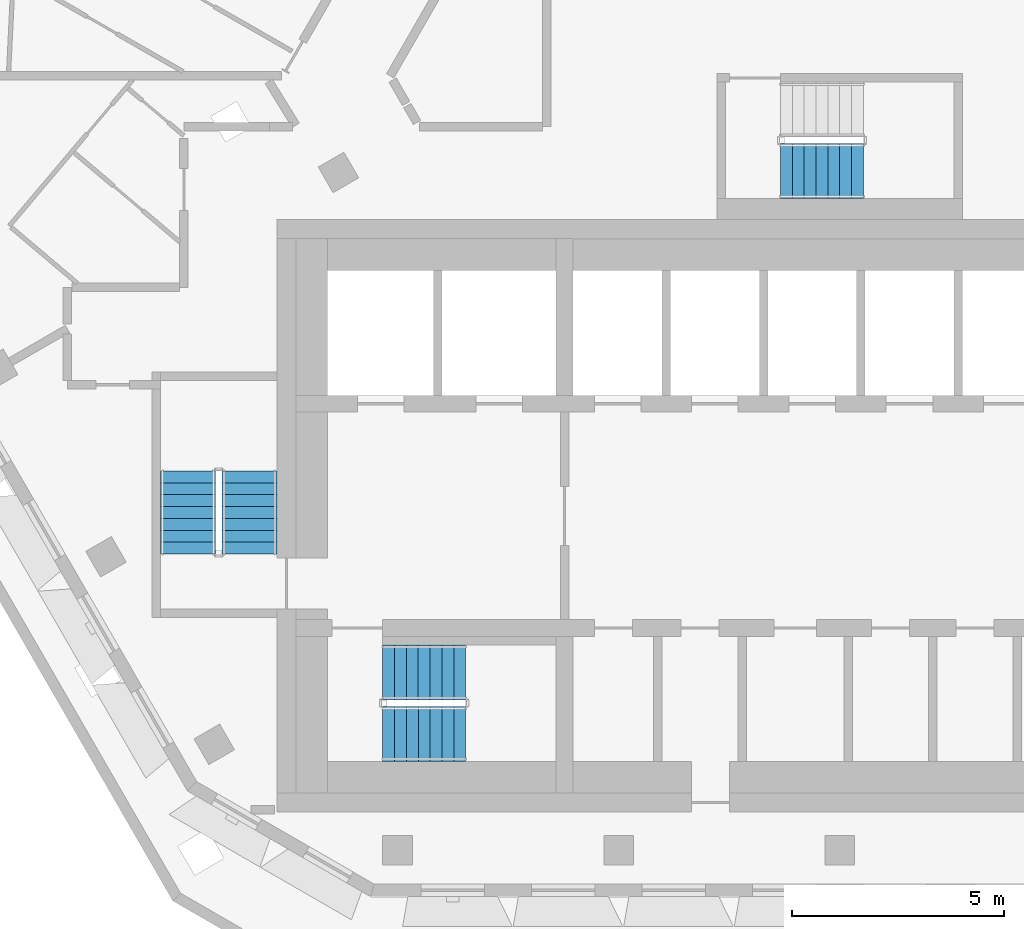
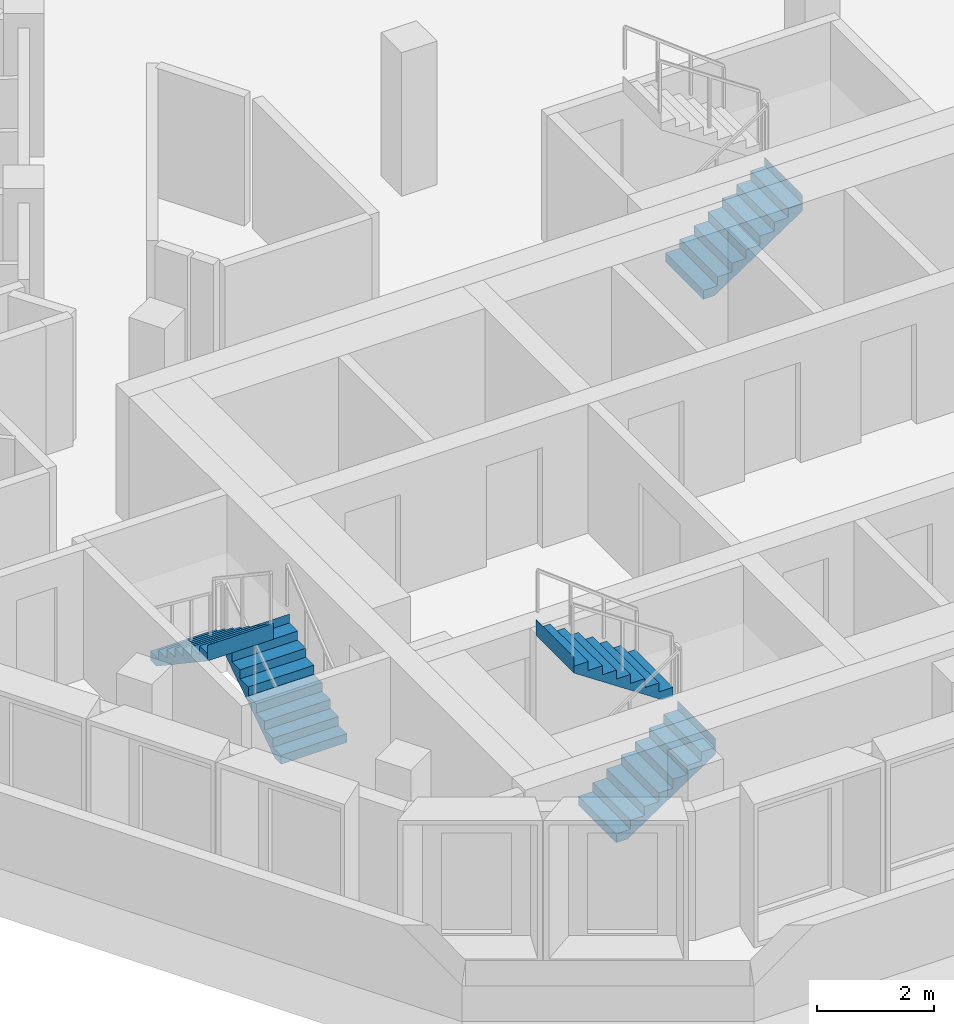
# One storey, part 10 of 15: 5 stair flights, 3 elements without a shape of their own.
"""IFC4 building model written with IfcOpenShell, lengths in metres."""

from ifc_helpers import new_model, si_unit, direction, frame, origin, place, context, subcontext, project, spatial, triangles, material, type_object, element, aggregate, save


model = new_model("IFC4")

# Units and contexts
model_context = context("Model", 3, precision=1e-05, world=origin(), true_north=direction((0.0, 1.0)))
body_context = subcontext(model_context, "Body", "Model", "MODEL_VIEW")
ifc_project = project(units=[si_unit("LENGTHUNIT", "METRE"), si_unit("AREAUNIT", "SQUARE_METRE"), si_unit("VOLUMEUNIT", "CUBIC_METRE"), si_unit("PLANEANGLEUNIT", "RADIAN"), si_unit("MASSUNIT", "GRAM", prefix="KILO")], contexts=[model_context])

# Site, building, storey
site_placement = place(None, origin())
site = spatial("IfcSite", under=ifc_project, at=site_placement, CompositionType="ELEMENT")
building_placement = place(site_placement, origin())
building = spatial("IfcBuilding", under=site, at=building_placement, Name="Beryl Residences", CompositionType="ELEMENT")
storey_placement = place(building_placement, frame((0.0, 0.0, 202.800048828125)))
storey = spatial("IfcBuildingStorey", under=building, at=storey_placement, Name="L62", CompositionType="ELEMENT", Elevation=202.800048828125)

# Stair, stair flights
ifc_material_1 = material(Name="Concrete C40/50", Category="concrete")
stair_type = type_object("IfcStairType", Name="ST1 protected exit stair, half-turn, 1300 mm flights", PredefinedType="HALF_TURN_STAIR", material=ifc_material_1)
stair_1_placement = place(storey_placement, origin())
stair_1 = element("IfcStair", 1, at=stair_1_placement, inside=storey, type_object=stair_type, Name="L62 PROTECTED EXIT STAIR ST-1", PredefinedType="HALF_TURN_STAIR")
ifc_material_2 = material(Name="Concrete C40/50", Category="concrete")
stair_flight_type = type_object("IfcStairFlightType", Name="SF1 stair flight 1300 mm", PredefinedType="STRAIGHT", material=ifc_material_2)
stair_flight_1_placement = place(storey_placement, frame((-10.800048828125, -17.14990234375, 0.0), z_axis=(0.0, 0.0, 1.0), x_axis=(1.0, 0.0, 0.0)))
stair_flight_1 = element("IfcStairFlight", 2, at=stair_flight_1_placement, type_object=stair_flight_type, Name="ST-1 flight 1", NumberOfRisers=8, NumberOfTreads=7, PredefinedType="STRAIGHT", RiserHeight=0.1875, TreadLength=0.28, context=body_context, shape_type="Tessellation", body=[
    triangles([(0.0, -0.64990234375, 0.0), (0.0, -0.324951171875, 0.0), (0.0, 0.0, 0.0), (0.0, 0.324951171875, 0.0), (0.0, 0.64990234375, 0.0), (0.0, -0.64990234375, 0.1875), (0.0, -0.324951171875, 0.1875), (0.0, 0.0, 0.1875), (0.0, 0.324951171875, 0.1875), (0.0, 0.64990234375, 0.1875), (0.280029296875, -0.64990234375, 0.1875), (0.280029296875, -0.324951171875, 0.1875), (0.280029296875, 0.0, 0.1875), (0.280029296875, 0.324951171875, 0.1875), (0.280029296875, 0.64990234375, 0.1875), (0.280029296875, -0.64990234375, 0.375), (0.280029296875, -0.324951171875, 0.375), (0.280029296875, 0.0, 0.375), (0.280029296875, 0.324951171875, 0.375), (0.280029296875, 0.64990234375, 0.375), (0.56005859375, -0.64990234375, 0.375), (0.56005859375, -0.324951171875, 0.375), (0.56005859375, 0.0, 0.375), (0.56005859375, 0.324951171875, 0.375), (0.56005859375, 0.64990234375, 0.375), (0.56005859375, -0.64990234375, 0.5625), (0.56005859375, -0.324951171875, 0.5625), (0.56005859375, 0.0, 0.5625), (0.56005859375, 0.324951171875, 0.5625), (0.56005859375, 0.64990234375, 0.5625), (0.840087890625, -0.64990234375, 0.5625), (0.840087890625, -0.324951171875, 0.5625), (0.840087890625, 0.0, 0.5625), (0.840087890625, 0.324951171875, 0.5625), (0.840087890625, 0.64990234375, 0.5625), (0.840087890625, -0.64990234375, 0.75), (0.840087890625, -0.324951171875, 0.75), (0.840087890625, 0.0, 0.75), (0.840087890625, 0.324951171875, 0.75), (0.840087890625, 0.64990234375, 0.75), (1.1201171875, -0.64990234375, 0.75), (1.1201171875, -0.324951171875, 0.75), (1.1201171875, 0.0, 0.75), (1.1201171875, 0.324951171875, 0.75), (1.1201171875, 0.64990234375, 0.75), (1.1201171875, -0.64990234375, 0.9375), (1.1201171875, -0.324951171875, 0.9375), (1.1201171875, 0.0, 0.9375), (1.1201171875, 0.324951171875, 0.9375), (1.1201171875, 0.64990234375, 0.9375), (1.39990234375, -0.64990234375, 0.9375), (1.39990234375, -0.324951171875, 0.9375), (1.39990234375, 0.0, 0.9375), (1.39990234375, 0.324951171875, 0.9375), (1.39990234375, 0.64990234375, 0.9375), (1.39990234375, -0.64990234375, 1.125), (1.39990234375, -0.324951171875, 1.125), (1.39990234375, 0.0, 1.125), (1.39990234375, 0.324951171875, 1.125), (1.39990234375, 0.64990234375, 1.125), (1.679931640625, -0.64990234375, 1.125), (1.679931640625, -0.324951171875, 1.125), (1.679931640625, 0.0, 1.125), (1.679931640625, 0.324951171875, 1.125), (1.679931640625, 0.64990234375, 1.125), (1.679931640625, -0.64990234375, 1.3125), (1.679931640625, -0.324951171875, 1.3125), (1.679931640625, 0.0, 1.3125), (1.679931640625, 0.324951171875, 1.3125), (1.679931640625, 0.64990234375, 1.3125), (1.9599609375, -0.64990234375, 1.3125), (1.9599609375, -0.324951171875, 1.3125), (1.9599609375, 0.0, 1.3125), (1.9599609375, 0.324951171875, 1.3125), (1.9599609375, 0.64990234375, 1.3125), (1.9599609375, -0.64990234375, 1.5), (1.9599609375, -0.324951171875, 1.5), (1.9599609375, 0.0, 1.5), (1.9599609375, 0.324951171875, 1.5), (1.9599609375, 0.64990234375, 1.5), (1.9609375, -0.64990234375, 1.5), (1.9609375, -0.324951171875, 1.5), (1.9609375, 0.0, 1.5), (1.9609375, 0.324951171875, 1.5), (1.9609375, 0.64990234375, 1.5), (1.9609375, -0.64990234375, 1.16796875), (1.9609375, -0.324951171875, 1.16796875), (1.9609375, 0.0, 1.16796875), (1.9609375, 0.324951171875, 1.16796875), (1.9609375, 0.64990234375, 1.16796875), (0.216796875, -0.64990234375, 0.0), (0.216796875, -0.324951171875, 0.0), (0.216796875, 0.0, 0.0), (0.216796875, 0.324951171875, 0.0), (0.216796875, 0.64990234375, 0.0)], [[1, 6, 7], [1, 7, 2], [2, 7, 8], [2, 8, 3], [3, 8, 9], [3, 9, 4], [4, 9, 10], [4, 10, 5], [6, 11, 12], [6, 12, 7], [7, 12, 13], [7, 13, 8], [8, 13, 14], [8, 14, 9], [9, 14, 15], [9, 15, 10], [11, 16, 17], [11, 17, 12], [12, 17, 18], [12, 18, 13], [13, 18, 19], [13, 19, 14], [14, 19, 20], [14, 20, 15], [16, 21, 22], [16, 22, 17], [17, 22, 23], [17, 23, 18], [18, 23, 24], [18, 24, 19], [19, 24, 25], [19, 25, 20], [21, 26, 27], [21, 27, 22], [22, 27, 28], [22, 28, 23], [23, 28, 29], [23, 29, 24], [24, 29, 30], [24, 30, 25], [26, 31, 32], [26, 32, 27], [27, 32, 33], [27, 33, 28], [28, 33, 34], [28, 34, 29], [29, 34, 35], [29, 35, 30], [31, 36, 37], [31, 37, 32], [32, 37, 38], [32, 38, 33], [33, 38, 39], [33, 39, 34], [34, 39, 40], [34, 40, 35], [36, 41, 42], [36, 42, 37], [37, 42, 43], [37, 43, 38], [38, 43, 44], [38, 44, 39], [39, 44, 45], [39, 45, 40], [41, 46, 47], [41, 47, 42], [42, 47, 48], [42, 48, 43], [43, 48, 49], [43, 49, 44], [44, 49, 50], [44, 50, 45], [46, 51, 52], [46, 52, 47], [47, 52, 53], [47, 53, 48], [48, 53, 54], [48, 54, 49], [49, 54, 55], [49, 55, 50], [51, 56, 57], [51, 57, 52], [52, 57, 58], [52, 58, 53], [53, 58, 59], [53, 59, 54], [54, 59, 60], [54, 60, 55], [56, 61, 62], [56, 62, 57], [57, 62, 63], [57, 63, 58], [58, 63, 64], [58, 64, 59], [59, 64, 65], [59, 65, 60], [61, 66, 67], [61, 67, 62], [62, 67, 68], [62, 68, 63], [63, 68, 69], [63, 69, 64], [64, 69, 70], [64, 70, 65], [66, 71, 72], [66, 72, 67], [67, 72, 73], [67, 73, 68], [68, 73, 74], [68, 74, 69], [69, 74, 75], [69, 75, 70], [71, 76, 77], [71, 77, 72], [72, 77, 78], [72, 78, 73], [73, 78, 79], [73, 79, 74], [74, 79, 80], [74, 80, 75], [76, 81, 82], [76, 82, 77], [77, 82, 83], [77, 83, 78], [78, 83, 84], [78, 84, 79], [79, 84, 85], [79, 85, 80], [81, 86, 87], [81, 87, 82], [82, 87, 88], [82, 88, 83], [83, 88, 89], [83, 89, 84], [84, 89, 90], [84, 90, 85], [86, 91, 92], [86, 92, 87], [87, 92, 93], [87, 93, 88], [88, 93, 94], [88, 94, 89], [89, 94, 95], [89, 95, 90], [91, 1, 2], [91, 2, 92], [92, 2, 3], [92, 3, 93], [93, 3, 4], [93, 4, 94], [94, 4, 5], [94, 5, 95], [1, 91, 86], [5, 90, 95], [86, 81, 76], [90, 80, 85], [86, 76, 71], [90, 75, 80], [86, 71, 66], [90, 70, 75], [86, 66, 61], [90, 65, 70], [61, 56, 51], [65, 55, 60], [86, 61, 51], [90, 55, 65], [51, 46, 41], [55, 45, 50], [86, 51, 41], [90, 45, 55], [41, 36, 31], [45, 35, 40], [86, 41, 31], [90, 35, 45], [31, 26, 21], [35, 25, 30], [86, 31, 21], [90, 25, 35], [21, 16, 11], [25, 15, 20], [86, 21, 11], [90, 15, 25], [1, 86, 11], [5, 15, 90], [11, 6, 1], [15, 5, 10]], closed=True),
])
stair_flight_2_placement = place(storey_placement, frame((-8.840087890625, -15.699951171875, 1.5), z_axis=(0.0, 0.0, 1.0), x_axis=(-1.0, 0.0, 0.0)))
stair_flight_2 = element("IfcStairFlight", 3, at=stair_flight_2_placement, type_object=stair_flight_type, Name="ST-1 flight 2", NumberOfRisers=8, NumberOfTreads=7, PredefinedType="STRAIGHT", RiserHeight=0.1875, TreadLength=0.28, context=body_context, shape_type="Tessellation", body=[
    triangles([(0.0, -0.64990234375, 0.0), (0.0, -0.324951171875, 0.0), (0.0, 0.0, 0.0), (0.0, 0.324951171875, 0.0), (0.0, 0.64990234375, 0.0), (0.0, -0.64990234375, 0.1875), (0.0, -0.324951171875, 0.1875), (0.0, 0.0, 0.1875), (0.0, 0.324951171875, 0.1875), (0.0, 0.64990234375, 0.1875), (0.280029296875, -0.64990234375, 0.1875), (0.280029296875, -0.324951171875, 0.1875), (0.280029296875, 0.0, 0.1875), (0.280029296875, 0.324951171875, 0.1875), (0.280029296875, 0.64990234375, 0.1875), (0.280029296875, -0.64990234375, 0.375), (0.280029296875, -0.324951171875, 0.375), (0.280029296875, 0.0, 0.375), (0.280029296875, 0.324951171875, 0.375), (0.280029296875, 0.64990234375, 0.375), (0.56005859375, -0.64990234375, 0.375), (0.56005859375, -0.324951171875, 0.375), (0.56005859375, 0.0, 0.375), (0.56005859375, 0.324951171875, 0.375), (0.56005859375, 0.64990234375, 0.375), (0.56005859375, -0.64990234375, 0.5625), (0.56005859375, -0.324951171875, 0.5625), (0.56005859375, 0.0, 0.5625), (0.56005859375, 0.324951171875, 0.5625), (0.56005859375, 0.64990234375, 0.5625), (0.840087890625, -0.64990234375, 0.5625), (0.840087890625, -0.324951171875, 0.5625), (0.840087890625, 0.0, 0.5625), (0.840087890625, 0.324951171875, 0.5625), (0.840087890625, 0.64990234375, 0.5625), (0.840087890625, -0.64990234375, 0.75), (0.840087890625, -0.324951171875, 0.75), (0.840087890625, 0.0, 0.75), (0.840087890625, 0.324951171875, 0.75), (0.840087890625, 0.64990234375, 0.75), (1.1201171875, -0.64990234375, 0.75), (1.1201171875, -0.324951171875, 0.75), (1.1201171875, 0.0, 0.75), (1.1201171875, 0.324951171875, 0.75), (1.1201171875, 0.64990234375, 0.75), (1.1201171875, -0.64990234375, 0.9375), (1.1201171875, -0.324951171875, 0.9375), (1.1201171875, 0.0, 0.9375), (1.1201171875, 0.324951171875, 0.9375), (1.1201171875, 0.64990234375, 0.9375), (1.39990234375, -0.64990234375, 0.9375), (1.39990234375, -0.324951171875, 0.9375), (1.39990234375, 0.0, 0.9375), (1.39990234375, 0.324951171875, 0.9375), (1.39990234375, 0.64990234375, 0.9375), (1.39990234375, -0.64990234375, 1.125), (1.39990234375, -0.324951171875, 1.125), (1.39990234375, 0.0, 1.125), (1.39990234375, 0.324951171875, 1.125), (1.39990234375, 0.64990234375, 1.125), (1.679931640625, -0.64990234375, 1.125), (1.679931640625, -0.324951171875, 1.125), (1.679931640625, 0.0, 1.125), (1.679931640625, 0.324951171875, 1.125), (1.679931640625, 0.64990234375, 1.125), (1.679931640625, -0.64990234375, 1.3125), (1.679931640625, -0.324951171875, 1.3125), (1.679931640625, 0.0, 1.3125), (1.679931640625, 0.324951171875, 1.3125), (1.679931640625, 0.64990234375, 1.3125), (1.9599609375, -0.64990234375, 1.3125), (1.9599609375, -0.324951171875, 1.3125), (1.9599609375, 0.0, 1.3125), (1.9599609375, 0.324951171875, 1.3125), (1.9599609375, 0.64990234375, 1.3125), (1.9599609375, -0.64990234375, 1.5), (1.9599609375, -0.324951171875, 1.5), (1.9599609375, 0.0, 1.5), (1.9599609375, 0.324951171875, 1.5), (1.9599609375, 0.64990234375, 1.5), (1.9609375, -0.64990234375, 1.5), (1.9609375, -0.324951171875, 1.5), (1.9609375, 0.0, 1.5), (1.9609375, 0.324951171875, 1.5), (1.9609375, 0.64990234375, 1.5), (1.9609375, -0.64990234375, 1.16796875), (1.9609375, -0.324951171875, 1.16796875), (1.9609375, 0.0, 1.16796875), (1.9609375, 0.324951171875, 1.16796875), (1.9609375, 0.64990234375, 1.16796875), (0.216796875, -0.64990234375, 0.0), (0.216796875, -0.324951171875, 0.0), (0.216796875, 0.0, 0.0), (0.216796875, 0.324951171875, 0.0), (0.216796875, 0.64990234375, 0.0)], [[1, 6, 7], [1, 7, 2], [2, 7, 8], [2, 8, 3], [3, 8, 9], [3, 9, 4], [4, 9, 10], [4, 10, 5], [6, 11, 12], [6, 12, 7], [7, 12, 13], [7, 13, 8], [8, 13, 14], [8, 14, 9], [9, 14, 15], [9, 15, 10], [11, 16, 17], [11, 17, 12], [12, 17, 18], [12, 18, 13], [13, 18, 19], [13, 19, 14], [14, 19, 20], [14, 20, 15], [16, 21, 22], [16, 22, 17], [17, 22, 23], [17, 23, 18], [18, 23, 24], [18, 24, 19], [19, 24, 25], [19, 25, 20], [21, 26, 27], [21, 27, 22], [22, 27, 28], [22, 28, 23], [23, 28, 29], [23, 29, 24], [24, 29, 30], [24, 30, 25], [26, 31, 32], [26, 32, 27], [27, 32, 33], [27, 33, 28], [28, 33, 34], [28, 34, 29], [29, 34, 35], [29, 35, 30], [31, 36, 37], [31, 37, 32], [32, 37, 38], [32, 38, 33], [33, 38, 39], [33, 39, 34], [34, 39, 40], [34, 40, 35], [36, 41, 42], [36, 42, 37], [37, 42, 43], [37, 43, 38], [38, 43, 44], [38, 44, 39], [39, 44, 45], [39, 45, 40], [41, 46, 47], [41, 47, 42], [42, 47, 48], [42, 48, 43], [43, 48, 49], [43, 49, 44], [44, 49, 50], [44, 50, 45], [46, 51, 52], [46, 52, 47], [47, 52, 53], [47, 53, 48], [48, 53, 54], [48, 54, 49], [49, 54, 55], [49, 55, 50], [51, 56, 57], [51, 57, 52], [52, 57, 58], [52, 58, 53], [53, 58, 59], [53, 59, 54], [54, 59, 60], [54, 60, 55], [56, 61, 62], [56, 62, 57], [57, 62, 63], [57, 63, 58], [58, 63, 64], [58, 64, 59], [59, 64, 65], [59, 65, 60], [61, 66, 67], [61, 67, 62], [62, 67, 68], [62, 68, 63], [63, 68, 69], [63, 69, 64], [64, 69, 70], [64, 70, 65], [66, 71, 72], [66, 72, 67], [67, 72, 73], [67, 73, 68], [68, 73, 74], [68, 74, 69], [69, 74, 75], [69, 75, 70], [71, 76, 77], [71, 77, 72], [72, 77, 78], [72, 78, 73], [73, 78, 79], [73, 79, 74], [74, 79, 80], [74, 80, 75], [76, 81, 82], [76, 82, 77], [77, 82, 83], [77, 83, 78], [78, 83, 84], [78, 84, 79], [79, 84, 85], [79, 85, 80], [81, 86, 87], [81, 87, 82], [82, 87, 88], [82, 88, 83], [83, 88, 89], [83, 89, 84], [84, 89, 90], [84, 90, 85], [86, 91, 92], [86, 92, 87], [87, 92, 93], [87, 93, 88], [88, 93, 94], [88, 94, 89], [89, 94, 95], [89, 95, 90], [91, 1, 2], [91, 2, 92], [92, 2, 3], [92, 3, 93], [93, 3, 4], [93, 4, 94], [94, 4, 5], [94, 5, 95], [1, 91, 86], [5, 90, 95], [86, 81, 76], [90, 80, 85], [86, 76, 71], [90, 75, 80], [86, 71, 66], [90, 70, 75], [86, 66, 61], [90, 65, 70], [61, 56, 51], [65, 55, 60], [86, 61, 51], [90, 55, 65], [51, 46, 41], [55, 45, 50], [86, 51, 41], [90, 45, 55], [41, 36, 31], [45, 35, 40], [86, 41, 31], [90, 35, 45], [31, 26, 21], [35, 25, 30], [86, 31, 21], [90, 25, 35], [21, 16, 11], [25, 15, 20], [86, 21, 11], [90, 15, 25], [1, 86, 11], [5, 15, 90], [11, 6, 1], [15, 5, 10]], closed=True),
])
aggregate(stair_1, [stair_flight_1, stair_flight_2])

stair_2_placement = place(storey_placement, origin())
stair_2 = element("IfcStair", 4, at=stair_2_placement, inside=storey, type_object=stair_type, Name="L62 PROTECTED EXIT STAIR ST-2", PredefinedType="HALF_TURN_STAIR")
stair_flight_3_placement = place(storey_placement, frame((-13.949951171875, -12.89990234375, 0.0), z_axis=(0.0, 0.0, 1.0), x_axis=(0.0, 1.0, 0.0)))
stair_flight_3 = element("IfcStairFlight", 5, at=stair_flight_3_placement, type_object=stair_flight_type, Name="ST-2 flight 1", NumberOfRisers=8, NumberOfTreads=7, PredefinedType="STRAIGHT", RiserHeight=0.1875, TreadLength=0.28, context=body_context, shape_type="Tessellation", body=[
    triangles([(0.0, -0.64990234375, 0.0), (0.0, -0.324951171875, 0.0), (0.0, 0.0, 0.0), (0.0, 0.324951171875, 0.0), (0.0, 0.64990234375, 0.0), (0.0, -0.64990234375, 0.1875), (0.0, -0.324951171875, 0.1875), (0.0, 0.0, 0.1875), (0.0, 0.324951171875, 0.1875), (0.0, 0.64990234375, 0.1875), (0.280029296875, -0.64990234375, 0.1875), (0.280029296875, -0.324951171875, 0.1875), (0.280029296875, 0.0, 0.1875), (0.280029296875, 0.324951171875, 0.1875), (0.280029296875, 0.64990234375, 0.1875), (0.280029296875, -0.64990234375, 0.375), (0.280029296875, -0.324951171875, 0.375), (0.280029296875, 0.0, 0.375), (0.280029296875, 0.324951171875, 0.375), (0.280029296875, 0.64990234375, 0.375), (0.56005859375, -0.64990234375, 0.375), (0.56005859375, -0.324951171875, 0.375), (0.56005859375, 0.0, 0.375), (0.56005859375, 0.324951171875, 0.375), (0.56005859375, 0.64990234375, 0.375), (0.56005859375, -0.64990234375, 0.5625), (0.56005859375, -0.324951171875, 0.5625), (0.56005859375, 0.0, 0.5625), (0.56005859375, 0.324951171875, 0.5625), (0.56005859375, 0.64990234375, 0.5625), (0.840087890625, -0.64990234375, 0.5625), (0.840087890625, -0.324951171875, 0.5625), (0.840087890625, 0.0, 0.5625), (0.840087890625, 0.324951171875, 0.5625), (0.840087890625, 0.64990234375, 0.5625), (0.840087890625, -0.64990234375, 0.75), (0.840087890625, -0.324951171875, 0.75), (0.840087890625, 0.0, 0.75), (0.840087890625, 0.324951171875, 0.75), (0.840087890625, 0.64990234375, 0.75), (1.1201171875, -0.64990234375, 0.75), (1.1201171875, -0.324951171875, 0.75), (1.1201171875, 0.0, 0.75), (1.1201171875, 0.324951171875, 0.75), (1.1201171875, 0.64990234375, 0.75), (1.1201171875, -0.64990234375, 0.9375), (1.1201171875, -0.324951171875, 0.9375), (1.1201171875, 0.0, 0.9375), (1.1201171875, 0.324951171875, 0.9375), (1.1201171875, 0.64990234375, 0.9375), (1.39990234375, -0.64990234375, 0.9375), (1.39990234375, -0.324951171875, 0.9375), (1.39990234375, 0.0, 0.9375), (1.39990234375, 0.324951171875, 0.9375), (1.39990234375, 0.64990234375, 0.9375), (1.39990234375, -0.64990234375, 1.125), (1.39990234375, -0.324951171875, 1.125), (1.39990234375, 0.0, 1.125), (1.39990234375, 0.324951171875, 1.125), (1.39990234375, 0.64990234375, 1.125), (1.679931640625, -0.64990234375, 1.125), (1.679931640625, -0.324951171875, 1.125), (1.679931640625, 0.0, 1.125), (1.679931640625, 0.324951171875, 1.125), (1.679931640625, 0.64990234375, 1.125), (1.679931640625, -0.64990234375, 1.3125), (1.679931640625, -0.324951171875, 1.3125), (1.679931640625, 0.0, 1.3125), (1.679931640625, 0.324951171875, 1.3125), (1.679931640625, 0.64990234375, 1.3125), (1.9599609375, -0.64990234375, 1.3125), (1.9599609375, -0.324951171875, 1.3125), (1.9599609375, 0.0, 1.3125), (1.9599609375, 0.324951171875, 1.3125), (1.9599609375, 0.64990234375, 1.3125), (1.9599609375, -0.64990234375, 1.5), (1.9599609375, -0.324951171875, 1.5), (1.9599609375, 0.0, 1.5), (1.9599609375, 0.324951171875, 1.5), (1.9599609375, 0.64990234375, 1.5), (1.9609375, -0.64990234375, 1.5), (1.9609375, -0.324951171875, 1.5), (1.9609375, 0.0, 1.5), (1.9609375, 0.324951171875, 1.5), (1.9609375, 0.64990234375, 1.5), (1.9609375, -0.64990234375, 1.16796875), (1.9609375, -0.324951171875, 1.16796875), (1.9609375, 0.0, 1.16796875), (1.9609375, 0.324951171875, 1.16796875), (1.9609375, 0.64990234375, 1.16796875), (0.216796875, -0.64990234375, 0.0), (0.216796875, -0.324951171875, 0.0), (0.216796875, 0.0, 0.0), (0.216796875, 0.324951171875, 0.0), (0.216796875, 0.64990234375, 0.0)], [[1, 6, 7], [1, 7, 2], [2, 7, 8], [2, 8, 3], [3, 8, 9], [3, 9, 4], [4, 9, 10], [4, 10, 5], [6, 11, 12], [6, 12, 7], [7, 12, 13], [7, 13, 8], [8, 13, 14], [8, 14, 9], [9, 14, 15], [9, 15, 10], [11, 16, 17], [11, 17, 12], [12, 17, 18], [12, 18, 13], [13, 18, 19], [13, 19, 14], [14, 19, 20], [14, 20, 15], [16, 21, 22], [16, 22, 17], [17, 22, 23], [17, 23, 18], [18, 23, 24], [18, 24, 19], [19, 24, 25], [19, 25, 20], [21, 26, 27], [21, 27, 22], [22, 27, 28], [22, 28, 23], [23, 28, 29], [23, 29, 24], [24, 29, 30], [24, 30, 25], [26, 31, 32], [26, 32, 27], [27, 32, 33], [27, 33, 28], [28, 33, 34], [28, 34, 29], [29, 34, 35], [29, 35, 30], [31, 36, 37], [31, 37, 32], [32, 37, 38], [32, 38, 33], [33, 38, 39], [33, 39, 34], [34, 39, 40], [34, 40, 35], [36, 41, 42], [36, 42, 37], [37, 42, 43], [37, 43, 38], [38, 43, 44], [38, 44, 39], [39, 44, 45], [39, 45, 40], [41, 46, 47], [41, 47, 42], [42, 47, 48], [42, 48, 43], [43, 48, 49], [43, 49, 44], [44, 49, 50], [44, 50, 45], [46, 51, 52], [46, 52, 47], [47, 52, 53], [47, 53, 48], [48, 53, 54], [48, 54, 49], [49, 54, 55], [49, 55, 50], [51, 56, 57], [51, 57, 52], [52, 57, 58], [52, 58, 53], [53, 58, 59], [53, 59, 54], [54, 59, 60], [54, 60, 55], [56, 61, 62], [56, 62, 57], [57, 62, 63], [57, 63, 58], [58, 63, 64], [58, 64, 59], [59, 64, 65], [59, 65, 60], [61, 66, 67], [61, 67, 62], [62, 67, 68], [62, 68, 63], [63, 68, 69], [63, 69, 64], [64, 69, 70], [64, 70, 65], [66, 71, 72], [66, 72, 67], [67, 72, 73], [67, 73, 68], [68, 73, 74], [68, 74, 69], [69, 74, 75], [69, 75, 70], [71, 76, 77], [71, 77, 72], [72, 77, 78], [72, 78, 73], [73, 78, 79], [73, 79, 74], [74, 79, 80], [74, 80, 75], [76, 81, 82], [76, 82, 77], [77, 82, 83], [77, 83, 78], [78, 83, 84], [78, 84, 79], [79, 84, 85], [79, 85, 80], [81, 86, 87], [81, 87, 82], [82, 87, 88], [82, 88, 83], [83, 88, 89], [83, 89, 84], [84, 89, 90], [84, 90, 85], [86, 91, 92], [86, 92, 87], [87, 92, 93], [87, 93, 88], [88, 93, 94], [88, 94, 89], [89, 94, 95], [89, 95, 90], [91, 1, 2], [91, 2, 92], [92, 2, 3], [92, 3, 93], [93, 3, 4], [93, 4, 94], [94, 4, 5], [94, 5, 95], [1, 91, 86], [5, 90, 95], [86, 81, 76], [90, 80, 85], [86, 76, 71], [90, 75, 80], [86, 71, 66], [90, 70, 75], [86, 66, 61], [90, 65, 70], [61, 56, 51], [65, 55, 60], [86, 61, 51], [90, 55, 65], [51, 46, 41], [55, 45, 50], [86, 51, 41], [90, 45, 55], [41, 36, 31], [45, 35, 40], [86, 41, 31], [90, 35, 45], [31, 26, 21], [35, 25, 30], [86, 31, 21], [90, 25, 35], [21, 16, 11], [25, 15, 20], [86, 21, 11], [90, 15, 25], [1, 86, 11], [5, 15, 90], [11, 6, 1], [15, 5, 10]], closed=True),
])
stair_flight_4_placement = place(storey_placement, frame((-15.39990234375, -10.93994140625, 1.5), z_axis=(0.0, 0.0, 1.0), x_axis=(0.0, -1.0, 0.0)))
stair_flight_4 = element("IfcStairFlight", 6, at=stair_flight_4_placement, type_object=stair_flight_type, Name="ST-2 flight 2", NumberOfRisers=8, NumberOfTreads=7, PredefinedType="STRAIGHT", RiserHeight=0.1875, TreadLength=0.28, context=body_context, shape_type="Tessellation", body=[
    triangles([(0.0, -0.64990234375, 0.0), (0.0, -0.324951171875, 0.0), (0.0, 0.0, 0.0), (0.0, 0.324951171875, 0.0), (0.0, 0.64990234375, 0.0), (0.0, -0.64990234375, 0.1875), (0.0, -0.324951171875, 0.1875), (0.0, 0.0, 0.1875), (0.0, 0.324951171875, 0.1875), (0.0, 0.64990234375, 0.1875), (0.280029296875, -0.64990234375, 0.1875), (0.280029296875, -0.324951171875, 0.1875), (0.280029296875, 0.0, 0.1875), (0.280029296875, 0.324951171875, 0.1875), (0.280029296875, 0.64990234375, 0.1875), (0.280029296875, -0.64990234375, 0.375), (0.280029296875, -0.324951171875, 0.375), (0.280029296875, 0.0, 0.375), (0.280029296875, 0.324951171875, 0.375), (0.280029296875, 0.64990234375, 0.375), (0.56005859375, -0.64990234375, 0.375), (0.56005859375, -0.324951171875, 0.375), (0.56005859375, 0.0, 0.375), (0.56005859375, 0.324951171875, 0.375), (0.56005859375, 0.64990234375, 0.375), (0.56005859375, -0.64990234375, 0.5625), (0.56005859375, -0.324951171875, 0.5625), (0.56005859375, 0.0, 0.5625), (0.56005859375, 0.324951171875, 0.5625), (0.56005859375, 0.64990234375, 0.5625), (0.840087890625, -0.64990234375, 0.5625), (0.840087890625, -0.324951171875, 0.5625), (0.840087890625, 0.0, 0.5625), (0.840087890625, 0.324951171875, 0.5625), (0.840087890625, 0.64990234375, 0.5625), (0.840087890625, -0.64990234375, 0.75), (0.840087890625, -0.324951171875, 0.75), (0.840087890625, 0.0, 0.75), (0.840087890625, 0.324951171875, 0.75), (0.840087890625, 0.64990234375, 0.75), (1.1201171875, -0.64990234375, 0.75), (1.1201171875, -0.324951171875, 0.75), (1.1201171875, 0.0, 0.75), (1.1201171875, 0.324951171875, 0.75), (1.1201171875, 0.64990234375, 0.75), (1.1201171875, -0.64990234375, 0.9375), (1.1201171875, -0.324951171875, 0.9375), (1.1201171875, 0.0, 0.9375), (1.1201171875, 0.324951171875, 0.9375), (1.1201171875, 0.64990234375, 0.9375), (1.39990234375, -0.64990234375, 0.9375), (1.39990234375, -0.324951171875, 0.9375), (1.39990234375, 0.0, 0.9375), (1.39990234375, 0.324951171875, 0.9375), (1.39990234375, 0.64990234375, 0.9375), (1.39990234375, -0.64990234375, 1.125), (1.39990234375, -0.324951171875, 1.125), (1.39990234375, 0.0, 1.125), (1.39990234375, 0.324951171875, 1.125), (1.39990234375, 0.64990234375, 1.125), (1.679931640625, -0.64990234375, 1.125), (1.679931640625, -0.324951171875, 1.125), (1.679931640625, 0.0, 1.125), (1.679931640625, 0.324951171875, 1.125), (1.679931640625, 0.64990234375, 1.125), (1.679931640625, -0.64990234375, 1.3125), (1.679931640625, -0.324951171875, 1.3125), (1.679931640625, 0.0, 1.3125), (1.679931640625, 0.324951171875, 1.3125), (1.679931640625, 0.64990234375, 1.3125), (1.9599609375, -0.64990234375, 1.3125), (1.9599609375, -0.324951171875, 1.3125), (1.9599609375, 0.0, 1.3125), (1.9599609375, 0.324951171875, 1.3125), (1.9599609375, 0.64990234375, 1.3125), (1.9599609375, -0.64990234375, 1.5), (1.9599609375, -0.324951171875, 1.5), (1.9599609375, 0.0, 1.5), (1.9599609375, 0.324951171875, 1.5), (1.9599609375, 0.64990234375, 1.5), (1.9609375, -0.64990234375, 1.5), (1.9609375, -0.324951171875, 1.5), (1.9609375, 0.0, 1.5), (1.9609375, 0.324951171875, 1.5), (1.9609375, 0.64990234375, 1.5), (1.9609375, -0.64990234375, 1.16796875), (1.9609375, -0.324951171875, 1.16796875), (1.9609375, 0.0, 1.16796875), (1.9609375, 0.324951171875, 1.16796875), (1.9609375, 0.64990234375, 1.16796875), (0.216796875, -0.64990234375, 0.0), (0.216796875, -0.324951171875, 0.0), (0.216796875, 0.0, 0.0), (0.216796875, 0.324951171875, 0.0), (0.216796875, 0.64990234375, 0.0)], [[1, 6, 7], [1, 7, 2], [2, 7, 8], [2, 8, 3], [3, 8, 9], [3, 9, 4], [4, 9, 10], [4, 10, 5], [6, 11, 12], [6, 12, 7], [7, 12, 13], [7, 13, 8], [8, 13, 14], [8, 14, 9], [9, 14, 15], [9, 15, 10], [11, 16, 17], [11, 17, 12], [12, 17, 18], [12, 18, 13], [13, 18, 19], [13, 19, 14], [14, 19, 20], [14, 20, 15], [16, 21, 22], [16, 22, 17], [17, 22, 23], [17, 23, 18], [18, 23, 24], [18, 24, 19], [19, 24, 25], [19, 25, 20], [21, 26, 27], [21, 27, 22], [22, 27, 28], [22, 28, 23], [23, 28, 29], [23, 29, 24], [24, 29, 30], [24, 30, 25], [26, 31, 32], [26, 32, 27], [27, 32, 33], [27, 33, 28], [28, 33, 34], [28, 34, 29], [29, 34, 35], [29, 35, 30], [31, 36, 37], [31, 37, 32], [32, 37, 38], [32, 38, 33], [33, 38, 39], [33, 39, 34], [34, 39, 40], [34, 40, 35], [36, 41, 42], [36, 42, 37], [37, 42, 43], [37, 43, 38], [38, 43, 44], [38, 44, 39], [39, 44, 45], [39, 45, 40], [41, 46, 47], [41, 47, 42], [42, 47, 48], [42, 48, 43], [43, 48, 49], [43, 49, 44], [44, 49, 50], [44, 50, 45], [46, 51, 52], [46, 52, 47], [47, 52, 53], [47, 53, 48], [48, 53, 54], [48, 54, 49], [49, 54, 55], [49, 55, 50], [51, 56, 57], [51, 57, 52], [52, 57, 58], [52, 58, 53], [53, 58, 59], [53, 59, 54], [54, 59, 60], [54, 60, 55], [56, 61, 62], [56, 62, 57], [57, 62, 63], [57, 63, 58], [58, 63, 64], [58, 64, 59], [59, 64, 65], [59, 65, 60], [61, 66, 67], [61, 67, 62], [62, 67, 68], [62, 68, 63], [63, 68, 69], [63, 69, 64], [64, 69, 70], [64, 70, 65], [66, 71, 72], [66, 72, 67], [67, 72, 73], [67, 73, 68], [68, 73, 74], [68, 74, 69], [69, 74, 75], [69, 75, 70], [71, 76, 77], [71, 77, 72], [72, 77, 78], [72, 78, 73], [73, 78, 79], [73, 79, 74], [74, 79, 80], [74, 80, 75], [76, 81, 82], [76, 82, 77], [77, 82, 83], [77, 83, 78], [78, 83, 84], [78, 84, 79], [79, 84, 85], [79, 85, 80], [81, 86, 87], [81, 87, 82], [82, 87, 88], [82, 88, 83], [83, 88, 89], [83, 89, 84], [84, 89, 90], [84, 90, 85], [86, 91, 92], [86, 92, 87], [87, 92, 93], [87, 93, 88], [88, 93, 94], [88, 94, 89], [89, 94, 95], [89, 95, 90], [91, 1, 2], [91, 2, 92], [92, 2, 3], [92, 3, 93], [93, 3, 4], [93, 4, 94], [94, 4, 5], [94, 5, 95], [1, 91, 86], [5, 90, 95], [86, 81, 76], [90, 80, 85], [86, 76, 71], [90, 75, 80], [86, 71, 66], [90, 70, 75], [86, 66, 61], [90, 65, 70], [61, 56, 51], [65, 55, 60], [86, 61, 51], [90, 55, 65], [51, 46, 41], [55, 45, 50], [86, 51, 41], [90, 45, 55], [41, 36, 31], [45, 35, 40], [86, 41, 31], [90, 35, 45], [31, 26, 21], [35, 25, 30], [86, 31, 21], [90, 25, 35], [21, 16, 11], [25, 15, 20], [86, 21, 11], [90, 15, 25], [1, 86, 11], [5, 15, 90], [11, 6, 1], [15, 5, 10]], closed=True),
])
aggregate(stair_2, [stair_flight_3, stair_flight_4])

# Stair, stair flight
stair_3_placement = place(storey_placement, origin())
stair_3 = element("IfcStair", 7, at=stair_3_placement, inside=storey, type_object=stair_type, Name="L62 PROTECTED EXIT STAIR ST-4", PredefinedType="HALF_TURN_STAIR")
stair_flight_5_placement = place(storey_placement, frame((-1.39990234375, -3.85009765625, 0.0), z_axis=(0.0, 0.0, 1.0), x_axis=(1.0, 0.0, 0.0)))
stair_flight_5 = element("IfcStairFlight", 8, at=stair_flight_5_placement, type_object=stair_flight_type, Name="ST-4 flight 1", NumberOfRisers=8, NumberOfTreads=7, PredefinedType="STRAIGHT", RiserHeight=0.1875, TreadLength=0.28, context=body_context, shape_type="Tessellation", body=[
    triangles([(0.0, -0.64990234375, 0.0), (0.0, -0.324951171875, 0.0), (0.0, 0.0, 0.0), (0.0, 0.324951171875, 0.0), (0.0, 0.64990234375, 0.0), (0.0, -0.64990234375, 0.1875), (0.0, -0.324951171875, 0.1875), (0.0, 0.0, 0.1875), (0.0, 0.324951171875, 0.1875), (0.0, 0.64990234375, 0.1875), (0.280029296875, -0.64990234375, 0.1875), (0.280029296875, -0.324951171875, 0.1875), (0.280029296875, 0.0, 0.1875), (0.280029296875, 0.324951171875, 0.1875), (0.280029296875, 0.64990234375, 0.1875), (0.280029296875, -0.64990234375, 0.375), (0.280029296875, -0.324951171875, 0.375), (0.280029296875, 0.0, 0.375), (0.280029296875, 0.324951171875, 0.375), (0.280029296875, 0.64990234375, 0.375), (0.56005859375, -0.64990234375, 0.375), (0.56005859375, -0.324951171875, 0.375), (0.56005859375, 0.0, 0.375), (0.56005859375, 0.324951171875, 0.375), (0.56005859375, 0.64990234375, 0.375), (0.56005859375, -0.64990234375, 0.5625), (0.56005859375, -0.324951171875, 0.5625), (0.56005859375, 0.0, 0.5625), (0.56005859375, 0.324951171875, 0.5625), (0.56005859375, 0.64990234375, 0.5625), (0.840087890625, -0.64990234375, 0.5625), (0.840087890625, -0.324951171875, 0.5625), (0.840087890625, 0.0, 0.5625), (0.840087890625, 0.324951171875, 0.5625), (0.840087890625, 0.64990234375, 0.5625), (0.840087890625, -0.64990234375, 0.75), (0.840087890625, -0.324951171875, 0.75), (0.840087890625, 0.0, 0.75), (0.840087890625, 0.324951171875, 0.75), (0.840087890625, 0.64990234375, 0.75), (1.1201171875, -0.64990234375, 0.75), (1.1201171875, -0.324951171875, 0.75), (1.1201171875, 0.0, 0.75), (1.1201171875, 0.324951171875, 0.75), (1.1201171875, 0.64990234375, 0.75), (1.1201171875, -0.64990234375, 0.9375), (1.1201171875, -0.324951171875, 0.9375), (1.1201171875, 0.0, 0.9375), (1.1201171875, 0.324951171875, 0.9375), (1.1201171875, 0.64990234375, 0.9375), (1.39990234375, -0.64990234375, 0.9375), (1.39990234375, -0.324951171875, 0.9375), (1.39990234375, 0.0, 0.9375), (1.39990234375, 0.324951171875, 0.9375), (1.39990234375, 0.64990234375, 0.9375), (1.39990234375, -0.64990234375, 1.125), (1.39990234375, -0.324951171875, 1.125), (1.39990234375, 0.0, 1.125), (1.39990234375, 0.324951171875, 1.125), (1.39990234375, 0.64990234375, 1.125), (1.679931640625, -0.64990234375, 1.125), (1.679931640625, -0.324951171875, 1.125), (1.679931640625, 0.0, 1.125), (1.679931640625, 0.324951171875, 1.125), (1.679931640625, 0.64990234375, 1.125), (1.679931640625, -0.64990234375, 1.3125), (1.679931640625, -0.324951171875, 1.3125), (1.679931640625, 0.0, 1.3125), (1.679931640625, 0.324951171875, 1.3125), (1.679931640625, 0.64990234375, 1.3125), (1.9599609375, -0.64990234375, 1.3125), (1.9599609375, -0.324951171875, 1.3125), (1.9599609375, 0.0, 1.3125), (1.9599609375, 0.324951171875, 1.3125), (1.9599609375, 0.64990234375, 1.3125), (1.9599609375, -0.64990234375, 1.5), (1.9599609375, -0.324951171875, 1.5), (1.9599609375, 0.0, 1.5), (1.9599609375, 0.324951171875, 1.5), (1.9599609375, 0.64990234375, 1.5), (1.9609375, -0.64990234375, 1.5), (1.9609375, -0.324951171875, 1.5), (1.9609375, 0.0, 1.5), (1.9609375, 0.324951171875, 1.5), (1.9609375, 0.64990234375, 1.5), (1.9609375, -0.64990234375, 1.16796875), (1.9609375, -0.324951171875, 1.16796875), (1.9609375, 0.0, 1.16796875), (1.9609375, 0.324951171875, 1.16796875), (1.9609375, 0.64990234375, 1.16796875), (0.216796875, -0.64990234375, 0.0), (0.216796875, -0.324951171875, 0.0), (0.216796875, 0.0, 0.0), (0.216796875, 0.324951171875, 0.0), (0.216796875, 0.64990234375, 0.0)], [[1, 6, 7], [1, 7, 2], [2, 7, 8], [2, 8, 3], [3, 8, 9], [3, 9, 4], [4, 9, 10], [4, 10, 5], [6, 11, 12], [6, 12, 7], [7, 12, 13], [7, 13, 8], [8, 13, 14], [8, 14, 9], [9, 14, 15], [9, 15, 10], [11, 16, 17], [11, 17, 12], [12, 17, 18], [12, 18, 13], [13, 18, 19], [13, 19, 14], [14, 19, 20], [14, 20, 15], [16, 21, 22], [16, 22, 17], [17, 22, 23], [17, 23, 18], [18, 23, 24], [18, 24, 19], [19, 24, 25], [19, 25, 20], [21, 26, 27], [21, 27, 22], [22, 27, 28], [22, 28, 23], [23, 28, 29], [23, 29, 24], [24, 29, 30], [24, 30, 25], [26, 31, 32], [26, 32, 27], [27, 32, 33], [27, 33, 28], [28, 33, 34], [28, 34, 29], [29, 34, 35], [29, 35, 30], [31, 36, 37], [31, 37, 32], [32, 37, 38], [32, 38, 33], [33, 38, 39], [33, 39, 34], [34, 39, 40], [34, 40, 35], [36, 41, 42], [36, 42, 37], [37, 42, 43], [37, 43, 38], [38, 43, 44], [38, 44, 39], [39, 44, 45], [39, 45, 40], [41, 46, 47], [41, 47, 42], [42, 47, 48], [42, 48, 43], [43, 48, 49], [43, 49, 44], [44, 49, 50], [44, 50, 45], [46, 51, 52], [46, 52, 47], [47, 52, 53], [47, 53, 48], [48, 53, 54], [48, 54, 49], [49, 54, 55], [49, 55, 50], [51, 56, 57], [51, 57, 52], [52, 57, 58], [52, 58, 53], [53, 58, 59], [53, 59, 54], [54, 59, 60], [54, 60, 55], [56, 61, 62], [56, 62, 57], [57, 62, 63], [57, 63, 58], [58, 63, 64], [58, 64, 59], [59, 64, 65], [59, 65, 60], [61, 66, 67], [61, 67, 62], [62, 67, 68], [62, 68, 63], [63, 68, 69], [63, 69, 64], [64, 69, 70], [64, 70, 65], [66, 71, 72], [66, 72, 67], [67, 72, 73], [67, 73, 68], [68, 73, 74], [68, 74, 69], [69, 74, 75], [69, 75, 70], [71, 76, 77], [71, 77, 72], [72, 77, 78], [72, 78, 73], [73, 78, 79], [73, 79, 74], [74, 79, 80], [74, 80, 75], [76, 81, 82], [76, 82, 77], [77, 82, 83], [77, 83, 78], [78, 83, 84], [78, 84, 79], [79, 84, 85], [79, 85, 80], [81, 86, 87], [81, 87, 82], [82, 87, 88], [82, 88, 83], [83, 88, 89], [83, 89, 84], [84, 89, 90], [84, 90, 85], [86, 91, 92], [86, 92, 87], [87, 92, 93], [87, 93, 88], [88, 93, 94], [88, 94, 89], [89, 94, 95], [89, 95, 90], [91, 1, 2], [91, 2, 92], [92, 2, 3], [92, 3, 93], [93, 3, 4], [93, 4, 94], [94, 4, 5], [94, 5, 95], [1, 91, 86], [5, 90, 95], [86, 81, 76], [90, 80, 85], [86, 76, 71], [90, 75, 80], [86, 71, 66], [90, 70, 75], [86, 66, 61], [90, 65, 70], [61, 56, 51], [65, 55, 60], [86, 61, 51], [90, 55, 65], [51, 46, 41], [55, 45, 50], [86, 51, 41], [90, 45, 55], [41, 36, 31], [45, 35, 40], [86, 41, 31], [90, 35, 45], [31, 26, 21], [35, 25, 30], [86, 31, 21], [90, 25, 35], [21, 16, 11], [25, 15, 20], [86, 21, 11], [90, 15, 25], [1, 86, 11], [5, 15, 90], [11, 6, 1], [15, 5, 10]], closed=True),
])
aggregate(stair_3, [stair_flight_5])

save(model, "model.ifc")
